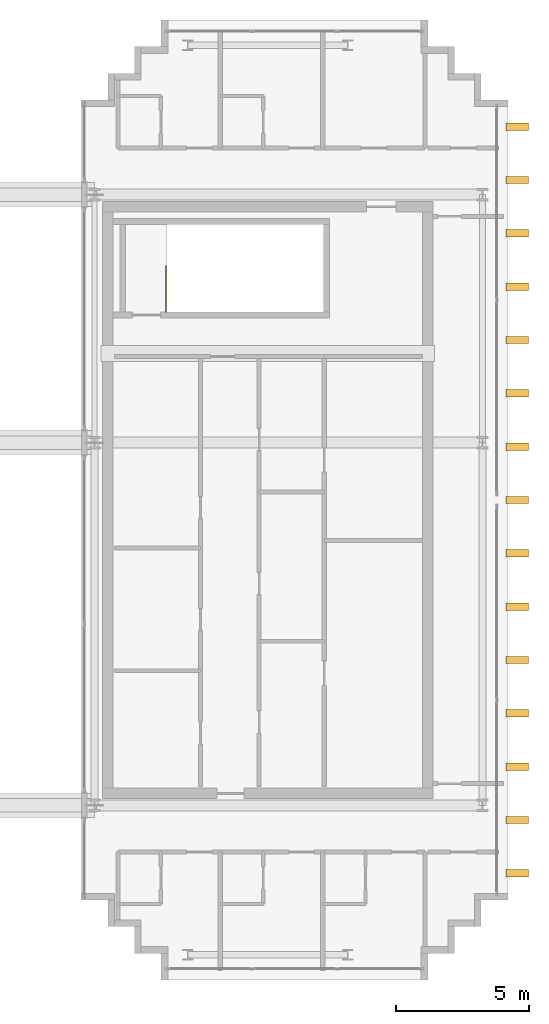
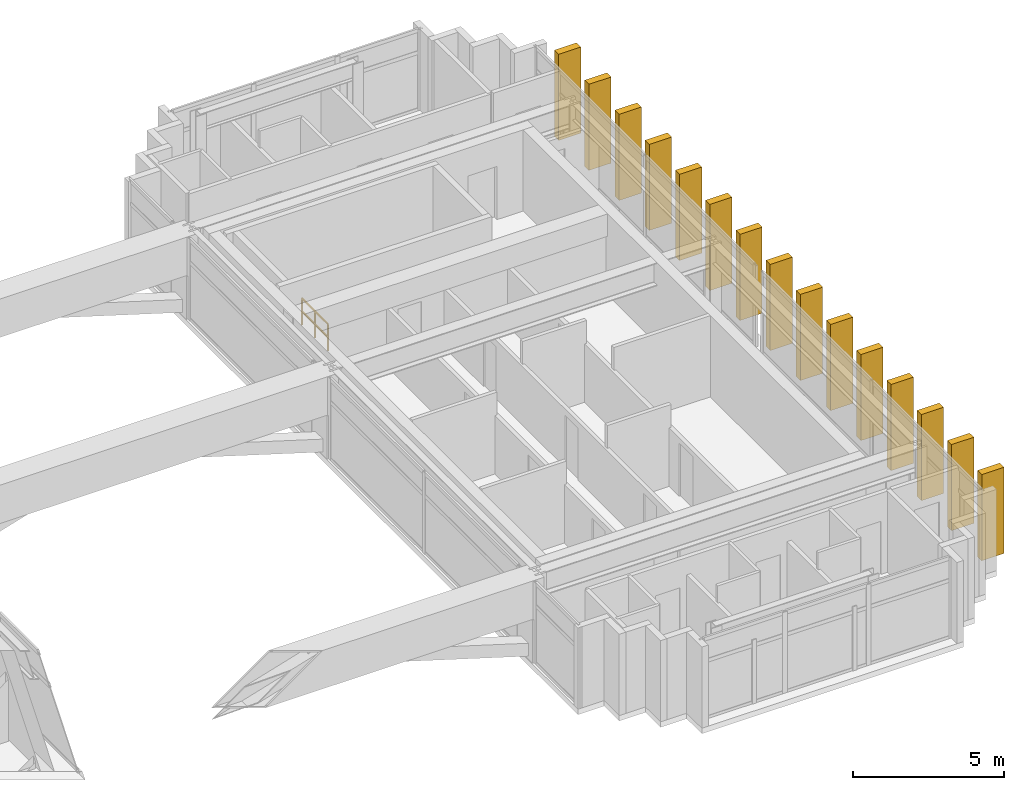
# One storey, part 28 of 28: 15 shading devices, 1 railing.
"""IFC4 building model written with IfcOpenShell, lengths in metres."""

from ifc_helpers import new_model, si_unit, direction, frame, origin, origin_2d, place, context, subcontext, project, spatial, rectangle, extrude, source, transform, mapped, material, type_object, element, save


model = new_model("IFC4")

# Units and contexts
model_context = context("Model", 3, precision=1e-05, world=origin(), true_north=direction((0.0, 1.0)))
body_context = subcontext(model_context, "Body", "Model", "MODEL_VIEW")
ifc_project = project(units=[si_unit("LENGTHUNIT", "METRE"), si_unit("AREAUNIT", "SQUARE_METRE"), si_unit("VOLUMEUNIT", "CUBIC_METRE"), si_unit("PLANEANGLEUNIT", "RADIAN"), si_unit("MASSUNIT", "GRAM", prefix="KILO")], contexts=[model_context])

# Site, building, storey
site_placement = place(None, origin())
site = spatial("IfcSite", under=ifc_project, at=site_placement, CompositionType="ELEMENT")
building_placement = place(site_placement, origin())
building = spatial("IfcBuilding", under=site, at=building_placement, Name="Ocotamira Hotel", CompositionType="ELEMENT")
storey_placement = place(building_placement, frame((0.0, 0.0, 268.800048828125)))
storey = spatial("IfcBuildingStorey", under=building, at=storey_placement, Name="L68", CompositionType="ELEMENT", Elevation=268.800048828125)

# Railing
ifc_material_1 = material(Name="Painted steel stair guardrail", Category="steel")
railing_type = type_object("IfcRailingType", Name="RL-STAIR-1100", PredefinedType="GUARDRAIL", material=ifc_material_1)
railing_placement = place(storey_placement, frame((43.179931640625, 33.050048828125, 0.0)))
element("IfcRailing", 1, at=railing_placement, inside=storey, type_object=railing_type, Name="L68 ST-4 top well guard 1", PredefinedType="GUARDRAIL", context=body_context, shape_type="SweptSolid", body=[
    extrude(rectangle(XDim=0.048095703125, YDim=0.048095703125, at=origin_2d()), frame((0.0, 0.0, 1.076171875), z_axis=(0.0, 1.0, 0.0), x_axis=(-1.0, 0.0, 0.0)), (0.0, 0.0, 1.0), 1.719970703125),
    extrude(rectangle(XDim=0.048095703125, YDim=0.048095703125, at=origin_2d()), frame((0.0, 0.0, 0.550048828125), z_axis=(0.0, 1.0, 0.0), x_axis=(-1.0, 0.0, 0.0)), (0.0, 0.0, 1.0), 1.719970703125),
    extrude(rectangle(XDim=0.0419921875, YDim=0.0419921875, at=origin_2d()), origin(), (0.0, 0.0, 1.0), 1.052001953125),
    extrude(rectangle(XDim=0.0419921875, YDim=0.0419921875, at=origin_2d()), frame((0.0, 0.85986328125, 0.0)), (0.0, 0.0, 1.0), 1.052001953125),
    extrude(rectangle(XDim=0.0419921875, YDim=0.0419921875, at=origin_2d()), frame((0.0, 1.719970703125, 0.0)), (0.0, 0.0, 1.0), 1.052001953125),
])

# Shading devices
ifc_material_2 = material(Name="Pale-metal anodised aluminium architectural fin", Category="aluminium")
shading_device_type = type_object("IfcShadingDeviceType", Name="SHD-PIER-850", PredefinedType="USERDEFINED", material=ifc_material_2)
shared_shape = source(origin(), body_context, "Body", "SweptSolid", [
    extrude(rectangle(XDim=0.85009765625, YDim=0.280029296875, at=origin_2d()), origin(), (0.0, 0.0, 1.0), 3.47998046875),
])
for number, where, z_axis, x_axis, name in (
    (2, (56.35009765625, 12.0, -0.10009765625), (0.0, 0.0, 1.0), (1.0, 0.0, 0.0), "L68 Vertical Pale-Metal Pier E Y12"),
    (3, (56.35009765625, 14.0, -0.10009765625), (0.0, 0.0, 1.0), (1.0, 0.0, 0.0), "L68 Vertical Pale-Metal Pier E Y14"),
    (4, (56.35009765625, 16.0, -0.10009765625), (0.0, 0.0, 1.0), (1.0, 0.0, 0.0), "L68 Vertical Pale-Metal Pier E Y16"),
    (5, (56.35009765625, 18.0, -0.10009765625), (0.0, 0.0, 1.0), (1.0, 0.0, 0.0), "L68 Vertical Pale-Metal Pier E Y18"),
    (6, (56.35009765625, 20.0, -0.10009765625), (0.0, 0.0, 1.0), (1.0, 0.0, 0.0), "L68 Vertical Pale-Metal Pier E Y20"),
    (7, (56.35009765625, 22.0, -0.10009765625), (0.0, 0.0, 1.0), (1.0, 0.0, 0.0), "L68 Vertical Pale-Metal Pier E Y22"),
    (8, (56.35009765625, 24.0, -0.10009765625), (0.0, 0.0, 1.0), (1.0, 0.0, 0.0), "L68 Vertical Pale-Metal Pier E Y24"),
    (9, (56.35009765625, 26.0, -0.10009765625), (0.0, 0.0, 1.0), (1.0, 0.0, 0.0), "L68 Vertical Pale-Metal Pier E Y26"),
    (10, (56.35009765625, 28.0, -0.10009765625), (0.0, 0.0, 1.0), (1.0, 0.0, 0.0), "L68 Vertical Pale-Metal Pier E Y28"),
    (11, (56.35009765625, 30.0, -0.10009765625), (0.0, 0.0, 1.0), (1.0, 0.0, 0.0), "L68 Vertical Pale-Metal Pier E Y30"),
    (12, (56.35009765625, 32.0, -0.10009765625), (0.0, 0.0, 1.0), (1.0, 0.0, 0.0), "L68 Vertical Pale-Metal Pier E Y32"),
    (13, (56.35009765625, 34.0, -0.10009765625), (0.0, 0.0, 1.0), (1.0, 0.0, 0.0), "L68 Vertical Pale-Metal Pier E Y34"),
    (14, (56.35009765625, 36.0, -0.10009765625), (0.0, 0.0, 1.0), (1.0, 0.0, 0.0), "L68 Vertical Pale-Metal Pier E Y36"),
    (15, (56.35009765625, 38.0, -0.10009765625), (0.0, 0.0, 1.0), (1.0, 0.0, 0.0), "L68 Vertical Pale-Metal Pier E Y38"),
    (16, (56.35009765625, 40.0, -0.10009765625), (0.0, 0.0, 1.0), (1.0, 0.0, 0.0), "L68 Vertical Pale-Metal Pier E Y40"),
):
    element("IfcShadingDevice", number, at=place(storey_placement, frame(where, z_axis=z_axis, x_axis=x_axis)), inside=storey, type_object=shading_device_type, Name=name, ObjectType="FIN", PredefinedType="USERDEFINED", context=body_context, shape_type="MappedRepresentation", body=[
        mapped(shared_shape, transform((0.0, 0.0, 0.0), scale=1.0)),
    ])

save(model, "model.ifc")
